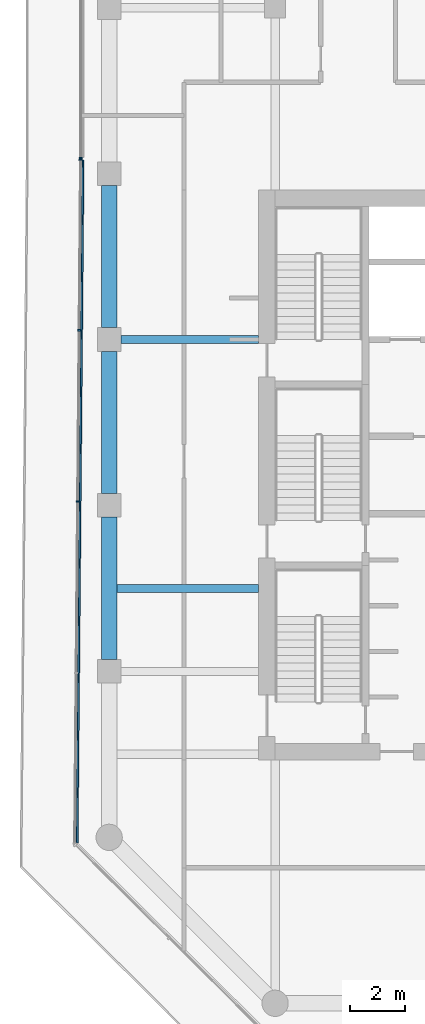
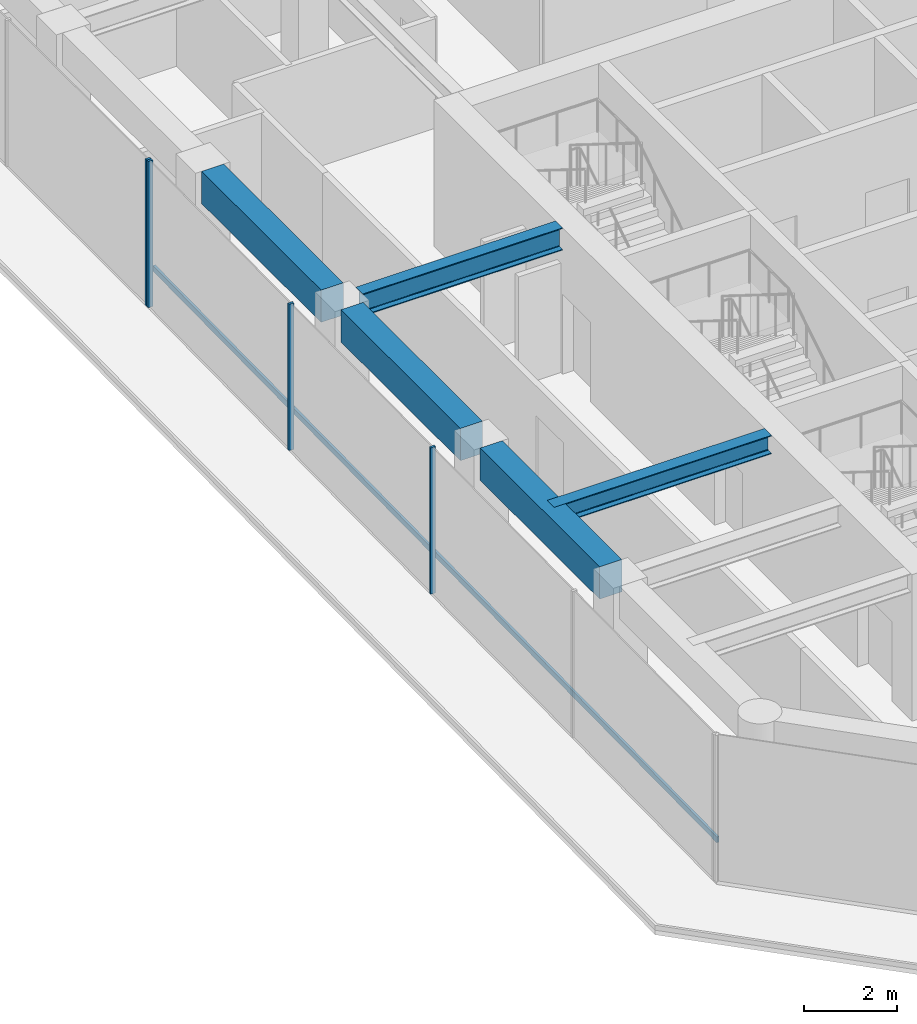
# One storey, part 4 of 19: 5 beams, 5 members, 2 elements without a shape of their own.
"""IFC4 building model written with IfcOpenShell, lengths in metres."""

from ifc_helpers import new_model, si_unit, direction, frame, origin, origin_2d, place, context, subcontext, project, spatial, rectangle, i_section, extrude, material, layer, layer_set, material_profile, profile_set, type_object, element, aggregate, save


model = new_model("IFC4")

# Units and contexts
model_context = context("Model", 3, precision=1e-05, world=origin(), true_north=direction((0.0, 1.0)))
body_context = subcontext(model_context, "Body", "Model", "MODEL_VIEW")
ifc_project = project(units=[si_unit("LENGTHUNIT", "METRE"), si_unit("AREAUNIT", "SQUARE_METRE"), si_unit("VOLUMEUNIT", "CUBIC_METRE"), si_unit("PLANEANGLEUNIT", "RADIAN"), si_unit("MASSUNIT", "GRAM", prefix="KILO")], contexts=[model_context])

# Site, building, storey
site_placement = place(None, origin())
site = spatial("IfcSite", under=ifc_project, at=site_placement, CompositionType="ELEMENT")
building_placement = place(site_placement, origin())
building = spatial("IfcBuilding", under=site, at=building_placement, Name="Welwitschia Terrace Campus", CompositionType="ELEMENT")
storey_placement = place(building_placement, frame((0.0, 0.0, 167.60009765625)))
storey = spatial("IfcBuildingStorey", under=building, at=storey_placement, Name="L37", CompositionType="ELEMENT", Elevation=167.60009765625)

# Beam
ifc_material_1 = material(Name="Steel S355", Category="steel")
ifc_material_profile_1 = material_profile(ifc_material_1, i_section(OverallWidth=0.300048828125, OverallDepth=0.489990234375, WebThickness=0.011962890625, FlangeThickness=0.02294921875, FilletRadius=0.027099609375, at=origin_2d()))
ifc_profile_set_1 = profile_set([ifc_material_profile_1], Name="Steel S355")
beam_type_1 = type_object("IfcBeamType", Name="Interior girder HE 500 A", PredefinedType="BEAM", material=ifc_profile_set_1)
beam_1_placement = place(storey_placement, frame((-0.010009765625, 11.0, 3.60498046875), z_axis=(1.0, 0.0, 0.0), x_axis=(0.0, 1.0, 0.0)))
element("IfcBeam", 1, at=beam_1_placement, inside=storey, type_object=beam_type_1, Name="Girder GB4", PredefinedType="BEAM", context=body_context, shape_type="SweptSolid", body=[
    extrude(i_section(OverallWidth=0.300048828125, OverallDepth=0.489990234375, WebThickness=0.011962890625, FlangeThickness=0.02294921875, FilletRadius=0.027099609375, at=origin_2d()), origin(), (0.0, 0.0, 1.0), 5.408935546875),
])

# Curtain wall, member
ifc_material_2 = material(Name="Bronze anodised aluminium", Category="aluminium")
ifc_layer = layer(ifc_material_2, 0.1201171875)
ifc_layer_set = layer_set([ifc_layer], Name="Bronze anodised aluminium")
curtain_wall_type = type_object("IfcCurtainWallType", Name="Curtain wall CW2 tower 6000", PredefinedType="NOTDEFINED", material=ifc_layer_set)
curtain_wall_1_placement = place(storey_placement, origin())
curtain_wall_1 = element("IfcCurtainWall", 2, at=curtain_wall_1_placement, inside=storey, type_object=curtain_wall_type, Name="CW L37.1.0", PredefinedType="NOTDEFINED")
ifc_material_3 = material(Name="Bronze anodised aluminium", Category="aluminium")
ifc_material_profile_2 = material_profile(ifc_material_3, rectangle(XDim=0.1201171875, YDim=0.06005859375, at=origin_2d()))
ifc_profile_set_2 = profile_set([ifc_material_profile_2], Name="Bronze anodised aluminium")
member_type_1 = type_object("IfcMemberType", Name="Mullion 60x120", PredefinedType="MULLION", material=ifc_profile_set_2)
member_1_placement = place(storey_placement, frame((-1.030029296875, 26.563232421875, 0.0), z_axis=(0.0, 0.0, 1.0), x_axis=(1.0, 0.0, 0.0)))
member_1 = element("IfcMember", 3, at=member_1_placement, type_object=member_type_1, Name="Mullion L37.1.0.6", PredefinedType="MULLION", context=body_context, shape_type="SweptSolid", body=[
    extrude(rectangle(XDim=0.1201171875, YDim=0.06005859375, at=origin_2d()), origin(), (0.0, 0.0, 1.0), 3.849853515625),
])
aggregate(curtain_wall_1, [member_1])

# Curtain wall, members
curtain_wall_2_placement = place(storey_placement, origin())
curtain_wall_2 = element("IfcCurtainWall", 4, at=curtain_wall_2_placement, inside=storey, type_object=curtain_wall_type, Name="CW L37.2.0", PredefinedType="NOTDEFINED")
member_2_placement = place(storey_placement, frame((-1.0302734375, 26.503173828125, 0.0), z_axis=(0.0, 0.0, 1.0), x_axis=(0.999961923064, -0.008726535498, 0.0)))
member_2 = element("IfcMember", 5, at=member_2_placement, type_object=member_type_1, Name="Mullion L37.2.0.0", PredefinedType="MULLION", context=body_context, shape_type="SweptSolid", body=[
    extrude(rectangle(XDim=0.1201171875, YDim=0.06005859375, at=origin_2d()), origin(), (0.0, 0.0, 1.0), 3.849853515625),
])
member_3_placement = place(storey_placement, frame((-1.083984375, 20.33544921875, 0.0), z_axis=(0.0, 0.0, 1.0), x_axis=(0.999961923064, -0.008726535498, 0.0)))
member_3 = element("IfcMember", 6, at=member_3_placement, type_object=member_type_1, Name="Mullion L37.2.0.1", PredefinedType="MULLION", context=body_context, shape_type="SweptSolid", body=[
    extrude(rectangle(XDim=0.1201171875, YDim=0.06005859375, at=origin_2d()), origin(), (0.0, 0.0, 1.0), 3.849853515625),
])
member_4_placement = place(storey_placement, frame((-1.13818359375, 14.1376953125, 0.0), z_axis=(0.0, 0.0, 1.0), x_axis=(0.999961923064, -0.008726535498, 0.0)))
member_4 = element("IfcMember", 7, at=member_4_placement, type_object=member_type_1, Name="Mullion L37.2.0.2", PredefinedType="MULLION", context=body_context, shape_type="SweptSolid", body=[
    extrude(rectangle(XDim=0.1201171875, YDim=0.06005859375, at=origin_2d()), origin(), (0.0, 0.0, 1.0), 3.849853515625),
])

# Beams
ifc_material_4 = material(Name="Steel S355", Category="steel")
ifc_material_profile_3 = material_profile(ifc_material_4, i_section(OverallWidth=0.300048828125, OverallDepth=0.590087890625, WebThickness=0.012939453125, FlangeThickness=0.02490234375, FilletRadius=0.027099609375, at=origin_2d()))
ifc_profile_set_3 = profile_set([ifc_material_profile_3], Name="Steel S355")
beam_type_2 = type_object("IfcBeamType", Name="Primary beam HE 600 A", PredefinedType="BEAM", material=ifc_profile_set_3)
beam_2_placement = place(storey_placement, frame((0.425537109375, 20.0, 3.554931640625), z_axis=(1.0, 0.0, 0.0), x_axis=(0.0, 1.0, 0.0)))
element("IfcBeam", 8, at=beam_2_placement, inside=storey, type_object=beam_type_2, Name="Primary beam PB4", PredefinedType="BEAM", context=body_context, shape_type="SweptSolid", body=[
    extrude(i_section(OverallWidth=0.300048828125, OverallDepth=0.590087890625, WebThickness=0.012939453125, FlangeThickness=0.02490234375, FilletRadius=0.027099609375, at=origin_2d()), origin(), (0.0, 0.0, 1.0), 4.974365234375),
])
ifc_material_5 = material(Name="Concrete C50/60", Category="concrete")
ifc_material_profile_4 = material_profile(ifc_material_5, rectangle(XDim=0.550048828125, YDim=0.85009765625, at=origin_2d()))
ifc_profile_set_4 = profile_set([ifc_material_profile_4], Name="Concrete C50/60")
beam_type_3 = type_object("IfcBeamType", Name="Ring spandrel 550x850", PredefinedType="SPANDREL", material=ifc_profile_set_4)
for number, where, z_axis, x_axis, name in (
    (9, (0.0, 25.574462890625, 3.4248046875), (0.0, -1.0, 0.0), (1.0, 0.0, 0.0), "Spandrel SP3"),
    (10, (0.0, 19.574462890625, 3.4248046875), (0.0, -1.0, 0.0), (1.0, 0.0, 0.0), "Spandrel SP3"),
    (11, (0.0, 13.574462890625, 3.4248046875), (0.0, -1.0, 0.0), (1.0, 0.0, 0.0), "Spandrel SP3"),
):
    element("IfcBeam", number, at=place(storey_placement, frame(where, z_axis=z_axis, x_axis=x_axis)), inside=storey, type_object=beam_type_3, Name=name, PredefinedType="SPANDREL", context=body_context, shape_type="SweptSolid", body=[
        extrude(rectangle(XDim=0.550048828125, YDim=0.85009765625, at=origin_2d()), origin(), (0.0, 0.0, 1.0), 5.14892578125),
    ])

# Member
ifc_material_6 = material(Name="Bronze anodised aluminium", Category="aluminium")
ifc_material_profile_5 = material_profile(ifc_material_6, rectangle(XDim=0.06005859375, YDim=0.14990234375, at=origin_2d()))
ifc_profile_set_5 = profile_set([ifc_material_profile_5], Name="Bronze anodised aluminium")
member_type_2 = type_object("IfcMemberType", Name="Transom 60x150", PredefinedType="USERDEFINED", material=ifc_profile_set_5)
member_5_placement = place(storey_placement, frame((-0.9404296875, 26.472412109375, 1.0), z_axis=(-0.008727760746, -0.999961912371, 0.0), x_axis=(0.999961912371, -0.008727760746, 0.0)))
member_5 = element("IfcMember", 12, at=member_5_placement, type_object=member_type_2, Name="Transom L37.2.0", ObjectType="TRANSOM", PredefinedType="USERDEFINED", context=body_context, shape_type="SweptSolid", body=[
    extrude(rectangle(XDim=0.06005859375, YDim=0.14990234375, at=origin_2d()), origin(), (0.0, 0.0, 1.0), 24.672119140625),
])

aggregate(curtain_wall_2, [member_2, member_3, member_4, member_5])

save(model, "model.ifc")
